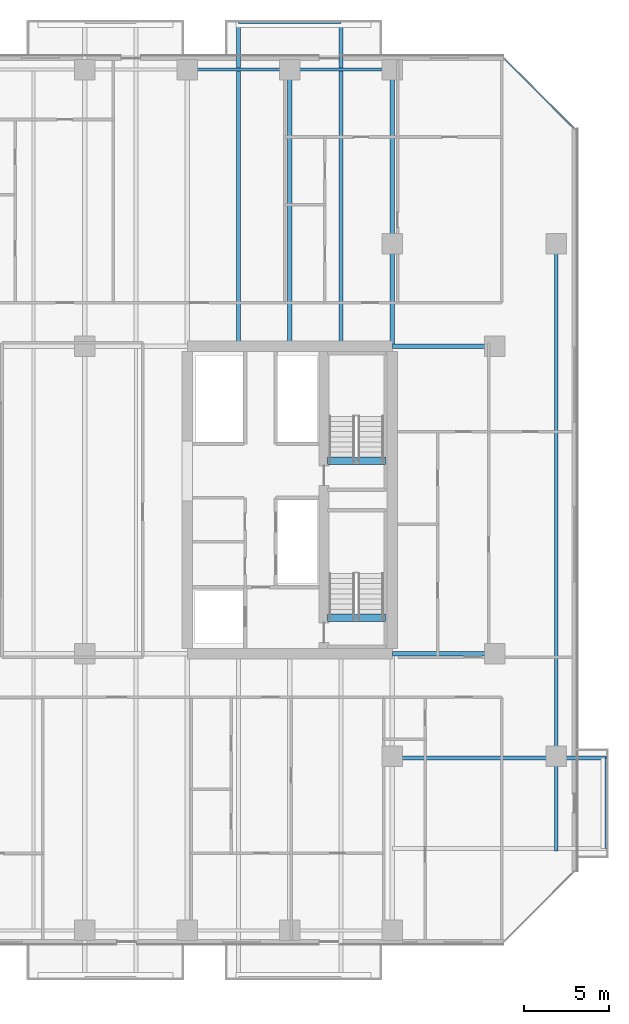
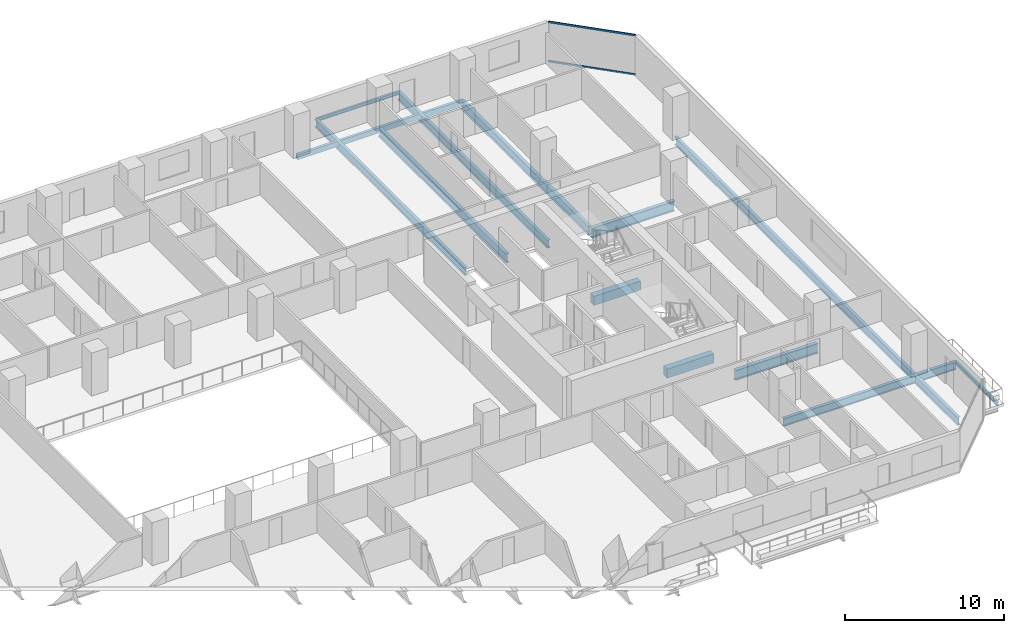
# One storey, part 14 of 33: 15 beams, 2 members, 1 element without a shape of its own.
"""IFC4 building model written with IfcOpenShell, lengths in metres."""

from ifc_helpers import new_model, si_unit, direction, frame, origin, origin_2d, place, context, subcontext, project, spatial, rectangle, hollow_rectangle, i_section, extrude, material, layer, layer_set, material_profile, profile_set, type_object, element, aggregate, save


model = new_model("IFC4")

# Units and contexts
model_context = context("Model", 3, precision=1e-05, world=origin(), true_north=direction((0.0, 1.0)))
body_context = subcontext(model_context, "Body", "Model", "MODEL_VIEW")
ifc_project = project(units=[si_unit("LENGTHUNIT", "METRE"), si_unit("AREAUNIT", "SQUARE_METRE"), si_unit("VOLUMEUNIT", "CUBIC_METRE"), si_unit("PLANEANGLEUNIT", "RADIAN"), si_unit("MASSUNIT", "GRAM", prefix="KILO")], contexts=[model_context])

# Site, building, storey
site_placement = place(None, origin())
site = spatial("IfcSite", under=ifc_project, at=site_placement, CompositionType="ELEMENT")
building_placement = place(site_placement, origin())
building = spatial("IfcBuilding", under=site, at=building_placement, Name="Tanjung Sevakor Pilgrim Tower", CompositionType="ELEMENT")
storey_placement = place(building_placement, frame((0.0, 0.0, 32.340087890625)))
storey = spatial("IfcBuildingStorey", under=building, at=storey_placement, Name="L08", CompositionType="ELEMENT", Elevation=32.340087890625)

# Beams
ifc_material_1 = material(Name="Steel S355J2", Category="steel")
ifc_material_profile_1 = material_profile(ifc_material_1, i_section(OverallWidth=0.26806640625, OverallDepth=0.769775390625, WebThickness=0.015625, FlangeThickness=0.025390625, FilletRadius=0.0166015625, at=origin_2d()))
ifc_profile_set_1 = profile_set([ifc_material_profile_1], Name="Steel S355J2")
beam_type_1 = type_object("IfcBeamType", Name="BM-B-G1-UB_762x267x197", PredefinedType="BEAM", material=ifc_profile_set_1)
for number, where, z_axis, x_axis, name in (
    (1, (90.0, 24.60009765625, -0.60498046875), (1.0, 0.0, 0.0), (0.0, 1.0, 0.0), "L08 Primary Floor Girder MAIN Y246-09"),
    (2, (90.0, 42.60009765625, -0.60498046875), (1.0, 0.0, 0.0), (0.0, 1.0, 0.0), "L08 Primary Floor Girder MAIN Y426-09"),
):
    element("IfcBeam", number, at=place(storey_placement, frame(where, z_axis=z_axis, x_axis=x_axis)), inside=storey, type_object=beam_type_1, Name=name, PredefinedType="BEAM", context=body_context, shape_type="SweptSolid", body=[
        extrude(i_section(OverallWidth=0.26806640625, OverallDepth=0.769775390625, WebThickness=0.015625, FlangeThickness=0.025390625, FilletRadius=0.0166015625, at=origin_2d()), origin(), (0.0, 0.0, 1.0), 6.0),
    ])
ifc_material_2 = material(Name="Steel S355J2", Category="steel")
ifc_material_profile_2 = material_profile(ifc_material_2, i_section(OverallWidth=0.25439453125, OverallDepth=0.6875, WebThickness=0.01318359375, FlangeThickness=0.02099609375, FilletRadius=0.01513671875, at=origin_2d()))
ifc_profile_set_2 = profile_set([ifc_material_profile_2], Name="Steel S355J2")
beam_type_2 = type_object("IfcBeamType", Name="BM-B-G2-UB_686x254x152", PredefinedType="BEAM", material=ifc_profile_set_2)
for number, where, z_axis, x_axis, name in (
    (3, (84.0, 42.73388671875, -0.56396484375), (0.0, 1.0, 0.0), (-1.0, 0.0, 0.0), "L08 MAIN Girder 027"),
    (4, (90.0, 42.73388671875, -0.56396484375), (0.0, 1.0, 0.0), (-1.0, 0.0, 0.0), "L08 MAIN Girder 029"),
):
    element("IfcBeam", number, at=place(storey_placement, frame(where, z_axis=z_axis, x_axis=x_axis)), inside=storey, type_object=beam_type_2, Name=name, PredefinedType="BEAM", context=body_context, shape_type="SweptSolid", body=[
        extrude(i_section(OverallWidth=0.25439453125, OverallDepth=0.6875, WebThickness=0.01318359375, FlangeThickness=0.02099609375, FilletRadius=0.01513671875, at=origin_2d()), origin(), (0.0, 0.0, 1.0), 16.066162109375),
    ])
ifc_material_3 = material(Name="Steel S355J2", Category="steel")
ifc_material_profile_3 = material_profile(ifc_material_3, i_section(OverallWidth=0.22900390625, OverallDepth=0.6123046875, WebThickness=0.011962890625, FlangeThickness=0.01953125, FilletRadius=0.0126953125, at=origin_2d()))
ifc_profile_set_3 = profile_set([ifc_material_profile_3], Name="Steel S355J2")
beam_type_3 = type_object("IfcBeamType", Name="BM-B-G4-UB_610x229x125", PredefinedType="BEAM", material=ifc_profile_set_3)
beam_1_placement = place(storey_placement, frame((99.60009765625, 18.60009765625, -0.526123046875), z_axis=(0.0, 1.0, 0.0), x_axis=(-1.0, 0.0, 0.0)))
element("IfcBeam", 5, at=beam_1_placement, inside=storey, type_object=beam_type_3, Name="L08 Short-End Edge Girder E", PredefinedType="BEAM", context=body_context, shape_type="SweptSolid", body=[
    extrude(i_section(OverallWidth=0.22900390625, OverallDepth=0.6123046875, WebThickness=0.011962890625, FlangeThickness=0.01953125, FilletRadius=0.0126953125, at=origin_2d()), origin(), (0.0, 0.0, 1.0), 30.0),
])
beam_2_placement = place(storey_placement, frame((99.60009765625, 18.60009765625, -0.526123046875), z_axis=(0.0, -1.0, 0.0), x_axis=(1.0, 0.0, 0.0)))
element("IfcBeam", 6, at=beam_2_placement, inside=storey, type_object=beam_type_3, Name="L08 Short-End Edge Extension S-E", PredefinedType="BEAM", context=body_context, shape_type="SweptSolid", body=[
    extrude(i_section(OverallWidth=0.22900390625, OverallDepth=0.6123046875, WebThickness=0.011962890625, FlangeThickness=0.01953125, FilletRadius=0.0126953125, at=origin_2d()), origin(), (0.0, 0.0, 1.0), 5.550048828125),
])
beam_3_placement = place(storey_placement, frame((90.0, 18.5, -0.526123046875), z_axis=(1.0, 0.0, 0.0), x_axis=(0.0, 1.0, 0.0)))
element("IfcBeam", 7, at=beam_3_placement, inside=storey, type_object=beam_type_3, Name="L08 Balcony Overhanging Beam MAIN-E1-2", PredefinedType="BEAM", context=body_context, shape_type="SweptSolid", body=[
    extrude(i_section(OverallWidth=0.22900390625, OverallDepth=0.6123046875, WebThickness=0.011962890625, FlangeThickness=0.01953125, FilletRadius=0.0126953125, at=origin_2d()), origin(), (0.0, 0.0, 1.0), 12.530029296875),
])
for number, where, z_axis, x_axis, name in (
    (8, (81.0, 42.73388671875, -0.526123046875), (0.0, 1.0, 0.0), (-1.0, 0.0, 0.0), "L08 Balcony Cantilever Beam MAIN-N4-1"),
    (9, (87.0, 42.73388671875, -0.526123046875), (0.0, 1.0, 0.0), (-1.0, 0.0, 0.0), "L08 Balcony Cantilever Beam MAIN-N4-2"),
):
    element("IfcBeam", number, at=place(storey_placement, frame(where, z_axis=z_axis, x_axis=x_axis)), inside=storey, type_object=beam_type_3, Name=name, PredefinedType="BEAM", context=body_context, shape_type="SweptSolid", body=[
        extrude(i_section(OverallWidth=0.22900390625, OverallDepth=0.6123046875, WebThickness=0.011962890625, FlangeThickness=0.01953125, FilletRadius=0.0126953125, at=origin_2d()), origin(), (0.0, 0.0, 1.0), 18.84619140625),
    ])
ifc_material_4 = material(Name="Steel S355J2", Category="steel")
ifc_material_profile_4 = material_profile(ifc_material_4, i_section(OverallWidth=0.146484375, OverallDepth=0.256103515625, WebThickness=0.00634765625, FlangeThickness=0.010986328125, FilletRadius=0.007568359375, at=origin_2d()))
ifc_profile_set_4 = profile_set([ifc_material_profile_4], Name="Steel S355J2")
beam_type_4 = type_object("IfcBeamType", Name="BM-B-J6-UB_254x146x37", PredefinedType="JOIST", material=ifc_profile_set_4)
beam_4_placement = place(storey_placement, frame((81.0, 61.580078125, -0.328125), z_axis=(1.0, 0.0, 0.0), x_axis=(0.0, 1.0, 0.0)))
element("IfcBeam", 10, at=beam_4_placement, inside=storey, type_object=beam_type_4, Name="L08 Balcony Rim Tie MAIN-N4", PredefinedType="JOIST", context=body_context, shape_type="SweptSolid", body=[
    extrude(i_section(OverallWidth=0.146484375, OverallDepth=0.256103515625, WebThickness=0.00634765625, FlangeThickness=0.010986328125, FilletRadius=0.007568359375, at=origin_2d()), origin(), (0.0, 0.0, 1.0), 6.0),
])
beam_5_placement = place(storey_placement, frame((102.530029296875, 13.199951171875, -0.328125), z_axis=(0.0, 1.0, 0.0), x_axis=(-1.0, 0.0, 0.0)))
element("IfcBeam", 11, at=beam_5_placement, inside=storey, type_object=beam_type_4, Name="L08 Balcony Rim Tie MAIN-E1", PredefinedType="JOIST", context=body_context, shape_type="SweptSolid", body=[
    extrude(i_section(OverallWidth=0.146484375, OverallDepth=0.256103515625, WebThickness=0.00634765625, FlangeThickness=0.010986328125, FilletRadius=0.007568359375, at=origin_2d()), origin(), (0.0, 0.0, 1.0), 5.300048828125),
])
ifc_material_5 = material(Name="Concrete C60/75", Category="concrete")
ifc_material_profile_5 = material_profile(ifc_material_5, rectangle(XDim=0.449951171875, YDim=0.699951171875, at=origin_2d()))
ifc_profile_set_5 = profile_set([ifc_material_profile_5], Name="Concrete C60/75")
beam_type_5 = type_object("IfcBeamType", Name="BM-B-LN3-RC-BM_450x700", PredefinedType="LINTEL", material=ifc_profile_set_5)
for number, where, z_axis, x_axis, name in (
    (12, (86.199951171875, 26.699951171875, -0.35009765625), (1.0, 0.0, 0.0), (0.0, 1.0, 0.0), "L08 TS-E1 Stair Threshold Beam"),
    (13, (86.199951171875, 35.89990234375, -0.35009765625), (1.0, 0.0, 0.0), (0.0, 1.0, 0.0), "L08 TS-E2 Stair Threshold Beam"),
):
    element("IfcBeam", number, at=place(storey_placement, frame(where, z_axis=z_axis, x_axis=x_axis)), inside=storey, type_object=beam_type_5, Name=name, PredefinedType="LINTEL", context=body_context, shape_type="SweptSolid", body=[
        extrude(rectangle(XDim=0.449951171875, YDim=0.699951171875, at=origin_2d()), origin(), (0.0, 0.0, 1.0), 3.400146484375),
    ])
ifc_material_6 = material(Name="Steel S355J2", Category="steel")
ifc_material_profile_6 = material_profile(ifc_material_6, hollow_rectangle(XDim=0.199951171875, YDim=0.39990234375, WallThickness=0.01611328125, at=origin_2d()))
ifc_profile_set_6 = profile_set([ifc_material_profile_6], Name="Steel S355J2")
beam_type_6 = type_object("IfcBeamType", Name="BM-B-SP2-RHS_400x200x16", PredefinedType="SPANDREL", material=ifc_profile_set_6)
for number, where, z_axis, x_axis, name in (
    (14, (78.0, 58.800048828125, -0.420166015625), (1.0, 0.0, 0.0), (0.0, 1.0, 0.0), "L08 Spandrel MAIN N-16"),
    (15, (84.0, 58.800048828125, -0.420166015625), (1.0, 0.0, 0.0), (0.0, 1.0, 0.0), "L08 Spandrel MAIN N-18"),
):
    element("IfcBeam", number, at=place(storey_placement, frame(where, z_axis=z_axis, x_axis=x_axis)), inside=storey, type_object=beam_type_6, Name=name, PredefinedType="SPANDREL", context=body_context, shape_type="SweptSolid", body=[
        extrude(hollow_rectangle(XDim=0.199951171875, YDim=0.39990234375, WallThickness=0.01611328125, at=origin_2d()), origin(), (0.0, 0.0, 1.0), 6.0),
    ])

# Curtain wall, members
ifc_material_7 = material(Name="Aluminium 6063-T6 and Low-E Glass", Category="aluminium")
ifc_layer = layer(ifc_material_7, 0.179931640625)
ifc_layer_set = layer_set([ifc_layer], Name="CW-SYS-CHAM")
curtain_wall_type = type_object("IfcCurtainWallType", Name="CW-SYS-CHAM", PredefinedType="NOTDEFINED", material=ifc_layer_set)
curtain_wall_placement = place(storey_placement, origin())
curtain_wall = element("IfcCurtainWall", 16, at=curtain_wall_placement, inside=storey, type_object=curtain_wall_type, Name="L08 Curtain Wall CW-CHM-L08-MAIN-7", PredefinedType="NOTDEFINED")
ifc_material_8 = material(Name="Aluminium 6063-T6", Category="aluminium")
ifc_material_profile_7 = material_profile(ifc_material_8, hollow_rectangle(XDim=0.06494140625, YDim=0.139892578125, WallThickness=0.00390625, at=origin_2d()))
ifc_profile_set_7 = profile_set([ifc_material_profile_7], Name="Aluminium 6063-T6")
member_type = type_object("IfcMemberType", Name="TYPE-CWT-1", PredefinedType="USERDEFINED", material=ifc_profile_set_7)
member_1_placement = place(storey_placement, frame((100.614013671875, 55.387939453125, 0.032470703125), z_axis=(-0.707106781187, 0.707106781187, 0.0), x_axis=(-0.707106781187, -0.707106781187, 0.0)))
member_1 = element("IfcMember", 17, at=member_1_placement, type_object=member_type, Name="CW-CHM transom 1.1", ObjectType="TRANSOM", PredefinedType="USERDEFINED", context=body_context, shape_type="SweptSolid", body=[
    extrude(hollow_rectangle(XDim=0.06494140625, YDim=0.139892578125, WallThickness=0.00390625, at=origin_2d()), origin(), (0.0, 0.0, 1.0), 5.69384765625),
])
member_2_placement = place(storey_placement, frame((100.614013671875, 55.387939453125, 3.04736328125), z_axis=(-0.707106781187, 0.707106781187, 0.0), x_axis=(-0.707106781187, -0.707106781187, 0.0)))
member_2 = element("IfcMember", 18, at=member_2_placement, type_object=member_type, Name="CW-CHM transom 1.2", ObjectType="TRANSOM", PredefinedType="USERDEFINED", context=body_context, shape_type="SweptSolid", body=[
    extrude(hollow_rectangle(XDim=0.06494140625, YDim=0.139892578125, WallThickness=0.00390625, at=origin_2d()), origin(), (0.0, 0.0, 1.0), 5.69384765625),
])
aggregate(curtain_wall, [member_1, member_2])

save(model, "model.ifc")
